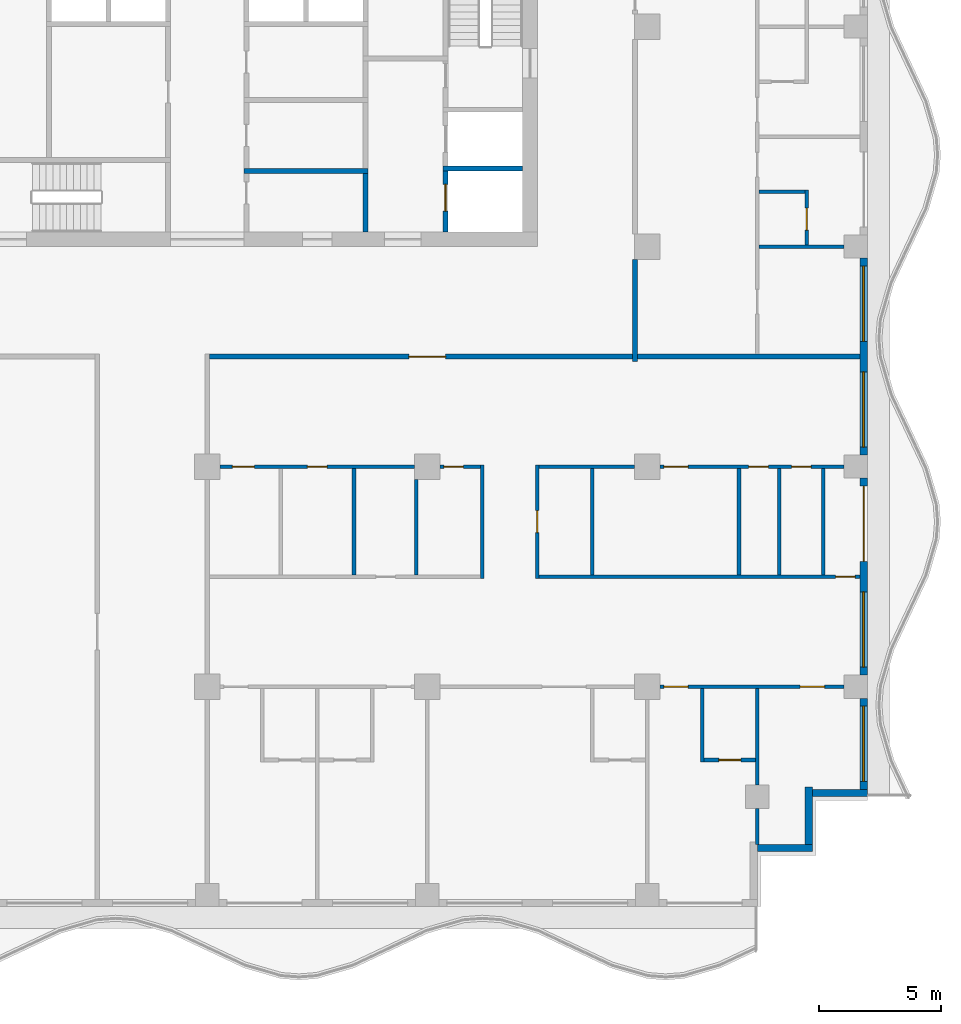
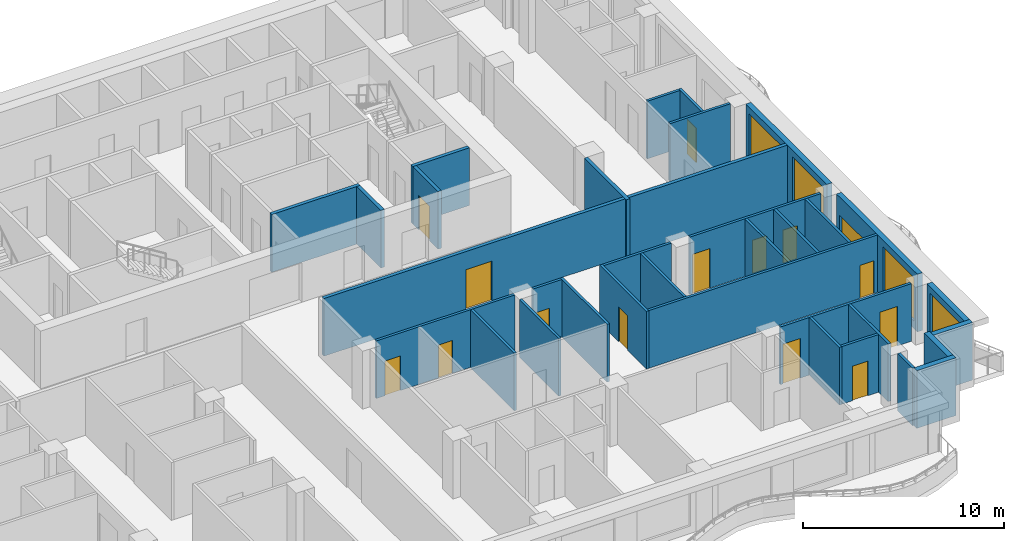
# One storey, part 4 of 11: 34 walls, 15 doors, 4 windows, 19 openings.
"""IFC4 building model written with IfcOpenShell, lengths in metres."""

from ifc_helpers import new_model, si_unit, direction, frame, frame_2d, origin, place, context, subcontext, project, spatial, rectangle, extrude, material, layer, layer_set, type_object, element, fill, save


model = new_model("IFC4")

# Units and contexts
model_context = context("Model", 3, precision=1e-05, world=origin(), true_north=direction((0.0, 1.0)))
body_context = subcontext(model_context, "Body", "Model", "MODEL_VIEW")
ifc_project = project(units=[si_unit("LENGTHUNIT", "METRE"), si_unit("AREAUNIT", "SQUARE_METRE"), si_unit("VOLUMEUNIT", "CUBIC_METRE"), si_unit("PLANEANGLEUNIT", "RADIAN"), si_unit("MASSUNIT", "GRAM", prefix="KILO")], contexts=[model_context])

# Site, building, storey
site_placement = place(None, origin())
site = spatial("IfcSite", under=ifc_project, at=site_placement, CompositionType="ELEMENT")
building_placement = place(site_placement, origin())
building = spatial("IfcBuilding", under=site, at=building_placement, Name="Orbiselva Terraces", CompositionType="ELEMENT")
storey_placement = place(building_placement, frame((0.0, 0.0, 226.2)))
storey = spatial("IfcBuildingStorey", under=building, at=storey_placement, Name="L57", CompositionType="ELEMENT", Elevation=226.2)

# Walls
ifc_material_1 = material(Name="Concrete C60/75", Category="concrete")
ifc_layer_1 = layer(ifc_material_1, 0.2)
ifc_layer_set_1 = layer_set([ifc_layer_1], Name="Concrete C60/75")
wall_type_1 = type_object("IfcWallType", Name="CORE-WALL-SHEAR-200", PredefinedType="SHEAR", material=ifc_layer_set_1)
wall_1_placement = place(storey_placement, frame((1.5, 7.6, 0.0), z_axis=(0.0, 0.0, 1.0), x_axis=(1.0, 0.0, 0.0)))
element("IfcWall", 1, at=wall_1_placement, inside=storey, type_object=wall_type_1, Name="L57 core wall 23", PredefinedType="SHEAR", context=body_context, shape_type="SweptSolid", body=[
    extrude(rectangle(XDim=5.075, YDim=0.2, at=frame_2d((2.5375, 0.0))), origin(), (0.0, 0.0, 1.0), 3.5),
])
wall_2_placement = place(storey_placement, frame((6.475, 5.1, 0.0), z_axis=(0.0, 0.0, 1.0), x_axis=(0.0, 1.0, 0.0)))
element("IfcWall", 2, at=wall_2_placement, inside=storey, type_object=wall_type_1, Name="L57 core wall 33", PredefinedType="SHEAR", context=body_context, shape_type="SweptSolid", body=[
    extrude(rectangle(XDim=2.4, YDim=0.2, at=frame_2d((1.2, 0.0))), origin(), (0.0, 0.0, 1.0), 3.5),
])

# Wall, opening, door
wall_3_placement = place(storey_placement, frame((9.75, 5.1, 0.0), z_axis=(0.0, 0.0, 1.0), x_axis=(0.0, 1.0, 0.0)))
wall_3 = element("IfcWall", 3, at=wall_3_placement, inside=storey, type_object=wall_type_1, Name="L57 core wall 40", PredefinedType="SHEAR", context=body_context, shape_type="SweptSolid", body=[
    extrude(rectangle(XDim=2.5, YDim=0.2, at=frame_2d((1.25, 0.0))), origin(), (0.0, 0.0, 1.0), 3.5),
])
opening_1_placement = place(wall_3_placement, frame((0.85, 0.0, 0.0)))
opening_1 = element("IfcOpeningElement", 4, at=opening_1_placement, cuts=wall_3, Name="Opening LD-FF1", PredefinedType="OPENING", context=body_context, shape_type="SweptSolid", body=[
    extrude(rectangle(XDim=1.1, YDim=2.1, at=frame_2d((0.55, 1.05))), frame((0.0, 0.11, 0.0), z_axis=(0.0, -1.0, 0.0), x_axis=(1.0, 0.0, 0.0)), (0.0, 0.0, 1.0), 0.22),
])
ifc_material_2 = material(Name="Stainless steel landing door", Category="steel")
door_type_1 = type_object("IfcDoorType", Name="LANDING DOOR 1100", OperationType="SLIDING_TO_LEFT", PredefinedType="DOOR", material=ifc_material_2)
door_1_placement = place(opening_1_placement, origin())
door_1 = element("IfcDoor", 5, at=door_1_placement, inside=storey, type_object=door_type_1, Name="L57 landing door FF1", OperationType="SLIDING_TO_RIGHT", OverallHeight=2.1, OverallWidth=1.1, PredefinedType="DOOR", context=body_context, shape_type="SweptSolid", body=[
    extrude(rectangle(XDim=1.1, YDim=2.1, at=frame_2d((0.55, 1.05))), frame((0.0, 0.025, 0.0), z_axis=(0.0, -1.0, 0.0), x_axis=(1.0, 0.0, 0.0)), (0.0, 0.0, 1.0), 0.05),
])
fill(opening_1, door_1)

# Walls
wall_4_placement = place(storey_placement, frame((9.65, 7.7, 0.0), z_axis=(0.0, 0.0, 1.0), x_axis=(1.0, 0.0, 0.0)))
element("IfcWall", 6, at=wall_4_placement, inside=storey, type_object=wall_type_1, Name="L57 core wall 41", PredefinedType="SHEAR", context=body_context, shape_type="SweptSolid", body=[
    extrude(rectangle(XDim=3.25, YDim=0.2, at=frame_2d((1.625, 0.0))), origin(), (0.0, 0.0, 1.0), 3.5),
])
ifc_material_3 = material(Name="Terracotta cladding on masonry backing", Category="masonry")
ifc_layer_2 = layer(ifc_material_3, 0.3)
ifc_layer_set_2 = layer_set([ifc_layer_2], Name="Terracotta cladding on masonry backing")
wall_type_2 = type_object("IfcWallType", Name="ENV-WALL-TERRACOTTA-300", PredefinedType="SOLIDWALL", material=ifc_layer_set_2)
wall_5_placement = place(storey_placement, frame((24.75, -20.1, 0.0), z_axis=(0.0, 0.0, 1.0), x_axis=(-1.0, 0.0, 0.0)))
element("IfcWall", 7, at=wall_5_placement, inside=storey, type_object=wall_type_2, Name="Facade wall L57 STEP", PredefinedType="SOLIDWALL", context=body_context, shape_type="SweptSolid", body=[
    extrude(rectangle(XDim=2.25, YDim=0.3, at=frame_2d((1.125, 0.0))), origin(), (0.0, 0.0, 1.0), 3.5),
])
wall_6_placement = place(storey_placement, frame((24.6, -17.6, 0.0), z_axis=(0.0, 0.0, 1.0), x_axis=(0.0, -1.0, 0.0)))
element("IfcWall", 8, at=wall_6_placement, inside=storey, type_object=wall_type_2, Name="Facade wall L57 STEP", PredefinedType="SOLIDWALL", context=body_context, shape_type="SweptSolid", body=[
    extrude(rectangle(XDim=2.35, YDim=0.3, at=frame_2d((1.175, 0.0))), origin(), (0.0, 0.0, 1.0), 3.5),
])
wall_7_placement = place(storey_placement, frame((27.0, -17.85, 0.0), z_axis=(0.0, 0.0, 1.0), x_axis=(-1.0, 0.0, 0.0)))
element("IfcWall", 9, at=wall_7_placement, inside=storey, type_object=wall_type_2, Name="Facade wall L57 STEP", PredefinedType="SOLIDWALL", context=body_context, shape_type="SweptSolid", body=[
    extrude(rectangle(XDim=2.25, YDim=0.3, at=frame_2d((1.125, 0.0))), origin(), (0.0, 0.0, 1.0), 3.5),
])

# Wall, opening, window
wall_8_placement = place(storey_placement, frame((26.85, -13.975, 0.0), z_axis=(0.0, 0.0, 1.0), x_axis=(0.0, -1.0, 0.0)))
wall_8 = element("IfcWall", 10, at=wall_8_placement, inside=storey, type_object=wall_type_2, Name="Facade wall L57 E", PredefinedType="SOLIDWALL", context=body_context, shape_type="SweptSolid", body=[
    extrude(rectangle(XDim=3.725, YDim=0.3, at=frame_2d((1.8625, 0.0))), origin(), (0.0, 0.0, 1.0), 3.5),
])
opening_2_placement = place(wall_8_placement, frame((0.325, 0.0, 0.45)))
opening_2 = element("IfcOpeningElement", 11, at=opening_2_placement, cuts=wall_8, Name="Opening WN15", PredefinedType="OPENING", context=body_context, shape_type="SweptSolid", body=[
    extrude(rectangle(XDim=3.075, YDim=2.65, at=frame_2d((1.5375, 1.325))), frame((0.0, 0.16, 0.0), z_axis=(0.0, -1.0, 0.0), x_axis=(1.0, 0.0, 0.0)), (0.0, 0.0, 1.0), 0.32),
])
ifc_material_4 = material(Name="Clear low-e glazing in aluminium frame", Category="aluminium")
window_type = type_object("IfcWindowType", Name="WINDOW 3075 X 2650 S450", PartitioningType="TRIPLE_PANEL_VERTICAL", PredefinedType="WINDOW", material=ifc_material_4)
window_1_placement = place(opening_2_placement, origin())
window_1 = element("IfcWindow", 12, at=window_1_placement, inside=storey, type_object=window_type, Name="Window L57 E", OverallHeight=2.65, OverallWidth=3.075, PartitioningType="SINGLE_PANEL", PredefinedType="WINDOW", context=body_context, shape_type="SweptSolid", body=[
    extrude(rectangle(XDim=3.075, YDim=2.65, at=frame_2d((1.5375, 1.325))), frame((0.0, 0.03, 0.0), z_axis=(0.0, -1.0, 0.0), x_axis=(1.0, 0.0, 0.0)), (0.0, 0.0, 1.0), 0.06),
])
fill(opening_2, window_1)

# Wall, openings, door, window
wall_9_placement = place(storey_placement, frame((26.85, -4.975, 0.0), z_axis=(0.0, 0.0, 1.0), x_axis=(0.0, -1.0, 0.0)))
wall_9 = element("IfcWall", 13, at=wall_9_placement, inside=storey, type_object=wall_type_2, Name="Facade wall L57 E", PredefinedType="SOLIDWALL", context=body_context, shape_type="SweptSolid", body=[
    extrude(rectangle(XDim=8.05, YDim=0.3, at=frame_2d((4.025, 0.0))), origin(), (0.0, 0.0, 1.0), 3.5),
])
opening_3_placement = place(wall_9_placement, frame((4.65, 0.0, 0.45)))
opening_3 = element("IfcOpeningElement", 14, at=opening_3_placement, cuts=wall_9, Name="Opening WN15", PredefinedType="OPENING", context=body_context, shape_type="SweptSolid", body=[
    extrude(rectangle(XDim=3.075, YDim=2.65, at=frame_2d((1.5375, 1.325))), frame((0.0, 0.16, 0.0), z_axis=(0.0, -1.0, 0.0), x_axis=(1.0, 0.0, 0.0)), (0.0, 0.0, 1.0), 0.32),
])
opening_4_placement = place(wall_9_placement, frame((0.325, 0.0, 0.0)))
opening_4 = element("IfcOpeningElement", 15, at=opening_4_placement, cuts=wall_9, Name="Opening Z4-E-E04", PredefinedType="OPENING", context=body_context, shape_type="SweptSolid", body=[
    extrude(rectangle(XDim=3.075, YDim=2.4, at=frame_2d((1.5375, 1.2))), frame((0.0, 0.16, 0.0), z_axis=(0.0, -1.0, 0.0), x_axis=(1.0, 0.0, 0.0)), (0.0, 0.0, 1.0), 0.32),
])
door_type_2 = type_object("IfcDoorType", Name="BALCONY DOOR 3075 X 2400", OperationType="DOUBLE_DOOR_SLIDING", PredefinedType="DOOR", material=ifc_material_4)
door_2_placement = place(opening_4_placement, origin())
door_2 = element("IfcDoor", 16, at=door_2_placement, inside=storey, type_object=door_type_2, Name="Z4-E-E04", OperationType="SINGLE_SWING_LEFT", OverallHeight=2.4, OverallWidth=3.075, PredefinedType="DOOR", context=body_context, shape_type="SweptSolid", body=[
    extrude(rectangle(XDim=3.075, YDim=2.4, at=frame_2d((1.5375, 1.2))), frame((0.0, 0.025, 0.0), z_axis=(0.0, -1.0, 0.0), x_axis=(1.0, 0.0, 0.0)), (0.0, 0.0, 1.0), 0.05),
])
fill(opening_4, door_2)
window_2_placement = place(opening_3_placement, origin())
window_2 = element("IfcWindow", 17, at=window_2_placement, inside=storey, type_object=window_type, Name="Window L57 E", OverallHeight=2.65, OverallWidth=3.075, PartitioningType="SINGLE_PANEL", PredefinedType="WINDOW", context=body_context, shape_type="SweptSolid", body=[
    extrude(rectangle(XDim=3.075, YDim=2.65, at=frame_2d((1.5375, 1.325))), frame((0.0, 0.03, 0.0), z_axis=(0.0, -1.0, 0.0), x_axis=(1.0, 0.0, 0.0)), (0.0, 0.0, 1.0), 0.06),
])
fill(opening_3, window_2)

# Wall, openings, windows
wall_10_placement = place(storey_placement, frame((26.85, 4.025, 0.0), z_axis=(0.0, 0.0, 1.0), x_axis=(0.0, -1.0, 0.0)))
wall_10 = element("IfcWall", 18, at=wall_10_placement, inside=storey, type_object=wall_type_2, Name="Facade wall L57 E", PredefinedType="SOLIDWALL", context=body_context, shape_type="SweptSolid", body=[
    extrude(rectangle(XDim=8.05, YDim=0.3, at=frame_2d((4.025, 0.0))), origin(), (0.0, 0.0, 1.0), 3.5),
])
opening_5_placement = place(wall_10_placement, frame((4.65, 0.0, 0.45)))
opening_5 = element("IfcOpeningElement", 19, at=opening_5_placement, cuts=wall_10, Name="Opening WN15", PredefinedType="OPENING", context=body_context, shape_type="SweptSolid", body=[
    extrude(rectangle(XDim=3.075, YDim=2.65, at=frame_2d((1.5375, 1.325))), frame((0.0, 0.16, 0.0), z_axis=(0.0, -1.0, 0.0), x_axis=(1.0, 0.0, 0.0)), (0.0, 0.0, 1.0), 0.32),
])
opening_6_placement = place(wall_10_placement, frame((0.325, 0.0, 0.45)))
opening_6 = element("IfcOpeningElement", 20, at=opening_6_placement, cuts=wall_10, Name="Opening WN15", PredefinedType="OPENING", context=body_context, shape_type="SweptSolid", body=[
    extrude(rectangle(XDim=3.075, YDim=2.65, at=frame_2d((1.5375, 1.325))), frame((0.0, 0.16, 0.0), z_axis=(0.0, -1.0, 0.0), x_axis=(1.0, 0.0, 0.0)), (0.0, 0.0, 1.0), 0.32),
])
window_3_placement = place(opening_5_placement, origin())
window_3 = element("IfcWindow", 21, at=window_3_placement, inside=storey, type_object=window_type, Name="Window L57 E", OverallHeight=2.65, OverallWidth=3.075, PartitioningType="SINGLE_PANEL", PredefinedType="WINDOW", context=body_context, shape_type="SweptSolid", body=[
    extrude(rectangle(XDim=3.075, YDim=2.65, at=frame_2d((1.5375, 1.325))), frame((0.0, 0.03, 0.0), z_axis=(0.0, -1.0, 0.0), x_axis=(1.0, 0.0, 0.0)), (0.0, 0.0, 1.0), 0.06),
])
fill(opening_5, window_3)
window_4_placement = place(opening_6_placement, origin())
window_4 = element("IfcWindow", 22, at=window_4_placement, inside=storey, type_object=window_type, Name="Window L57 E", OverallHeight=2.65, OverallWidth=3.075, PartitioningType="SINGLE_PANEL", PredefinedType="WINDOW", context=body_context, shape_type="SweptSolid", body=[
    extrude(rectangle(XDim=3.075, YDim=2.65, at=frame_2d((1.5375, 1.325))), frame((0.0, 0.03, 0.0), z_axis=(0.0, -1.0, 0.0), x_axis=(1.0, 0.0, 0.0)), (0.0, 0.0, 1.0), 0.06),
])
fill(opening_6, window_4)

# Wall, opening, door
ifc_material_5 = material(Name="Plasterboard on steel stud partition", Category="steel")
ifc_layer_3 = layer(ifc_material_5, 0.2)
ifc_layer_set_3 = layer_set([ifc_layer_3], Name="Plasterboard on steel stud partition")
wall_type_3 = type_object("IfcWallType", Name="UNIT-ENTRANCE-WALL-200", PredefinedType="PARTITIONING", material=ifc_layer_set_3)
wall_11_placement = place(storey_placement, frame((17.4, 0.0, 0.0), z_axis=(0.0, 0.0, 1.0), x_axis=(-1.0, 0.0, 0.0)))
wall_11 = element("IfcWall", 23, at=wall_11_placement, inside=storey, type_object=wall_type_3, Name="PARTITION L57-029", PredefinedType="PARTITIONING", context=body_context, shape_type="SweptSolid", body=[
    extrude(rectangle(XDim=17.3, YDim=0.2, at=frame_2d((8.65, 0.0))), origin(), (0.0, 0.0, 1.0), 3.5),
])
opening_7_placement = place(wall_11_placement, frame((7.65, 0.0, 0.0)))
opening_7 = element("IfcOpeningElement", 24, at=opening_7_placement, cuts=wall_11, Name="Opening Z4-E-33", PredefinedType="OPENING", context=body_context, shape_type="SweptSolid", body=[
    extrude(rectangle(XDim=1.5, YDim=2.4, at=frame_2d((0.75, 1.2))), frame((0.0, 0.11, 0.0), z_axis=(0.0, -1.0, 0.0), x_axis=(1.0, 0.0, 0.0)), (0.0, 0.0, 1.0), 0.22),
])
ifc_material_6 = material(Name="Painted timber door leaf", Category="wood")
door_type_3 = type_object("IfcDoorType", Name="ENTRANCE DOUBLE DOOR 1500", OperationType="NOTDEFINED", PredefinedType="DOOR", material=ifc_material_6)
door_3_placement = place(opening_7_placement, origin())
door_3 = element("IfcDoor", 25, at=door_3_placement, inside=storey, type_object=door_type_3, Name="Z4-E-33", OperationType="DOUBLE_DOOR_SINGLE_SWING", OverallHeight=2.4, OverallWidth=1.5, PredefinedType="DOOR", context=body_context, shape_type="SweptSolid", body=[
    extrude(rectangle(XDim=1.5, YDim=2.4, at=frame_2d((0.75, 1.2))), frame((0.0, 0.025, 0.0), z_axis=(0.0, -1.0, 0.0), x_axis=(1.0, 0.0, 0.0)), (0.0, 0.0, 1.0), 0.05),
])
fill(opening_7, door_3)

# Wall
wall_12_placement = place(storey_placement, frame((17.5, -0.2, 0.0), z_axis=(0.0, 0.0, 1.0), x_axis=(0.0, 1.0, 0.0)))
element("IfcWall", 26, at=wall_12_placement, inside=storey, type_object=wall_type_3, Name="PARTITION L57-081", PredefinedType="PARTITIONING", context=body_context, shape_type="SweptSolid", body=[
    extrude(rectangle(XDim=4.175, YDim=0.2, at=frame_2d((2.0875, 0.0))), origin(), (0.0, 0.0, 1.0), 3.5),
])

# Wall, opening, door
ifc_layer_4 = layer(ifc_material_5, 0.15)
ifc_layer_set_4 = layer_set([ifc_layer_4], Name="Plasterboard on steel stud partition")
wall_type_4 = type_object("IfcWallType", Name="UNIT-PARTITION-150", PredefinedType="PARTITIONING", material=ifc_layer_set_4)
wall_13_placement = place(storey_placement, frame((20.325, -16.5, 0.0), z_axis=(0.0, 0.0, 1.0), x_axis=(1.0, 0.0, 0.0)))
wall_13 = element("IfcWall", 27, at=wall_13_placement, inside=storey, type_object=wall_type_4, Name="PARTITION L57-008", PredefinedType="PARTITIONING", context=body_context, shape_type="SweptSolid", body=[
    extrude(rectangle(XDim=2.1, YDim=0.15, at=frame_2d((1.05, 0.0))), origin(), (0.0, 0.0, 1.0), 3.5),
])
opening_8_placement = place(wall_13_placement, frame((0.6, 0.0, 0.0)))
opening_8 = element("IfcOpeningElement", 28, at=opening_8_placement, cuts=wall_13, Name="Opening Z4-E-45", PredefinedType="OPENING", context=body_context, shape_type="SweptSolid", body=[
    extrude(rectangle(XDim=0.9, YDim=2.1, at=frame_2d((0.45, 1.05))), frame((0.0, 0.085, 0.0), z_axis=(0.0, -1.0, 0.0), x_axis=(1.0, 0.0, 0.0)), (0.0, 0.0, 1.0), 0.17),
])
door_type_4 = type_object("IfcDoorType", Name="BATH DOOR 900", OperationType="NOTDEFINED", PredefinedType="DOOR", material=ifc_material_6)
door_4_placement = place(opening_8_placement, origin())
door_4 = element("IfcDoor", 29, at=door_4_placement, inside=storey, type_object=door_type_4, Name="Z4-E-45", OperationType="SINGLE_SWING_LEFT", OverallHeight=2.1, OverallWidth=0.9, PredefinedType="DOOR", context=body_context, shape_type="SweptSolid", body=[
    extrude(rectangle(XDim=0.9, YDim=2.1, at=frame_2d((0.45, 1.05))), frame((0.0, 0.025, 0.0), z_axis=(0.0, -1.0, 0.0), x_axis=(1.0, 0.0, 0.0)), (0.0, 0.0, 1.0), 0.05),
])
fill(opening_8, door_4)

# Wall, openings, doors
wall_14_placement = place(storey_placement, frame((26.05, -13.5, 0.0), z_axis=(0.0, 0.0, 1.0), x_axis=(-1.0, 0.0, 0.0)))
wall_14 = element("IfcWall", 30, at=wall_14_placement, inside=storey, type_object=wall_type_4, Name="PARTITION L57-012", PredefinedType="PARTITIONING", context=body_context, shape_type="SweptSolid", body=[
    extrude(rectangle(XDim=7.525, YDim=0.15, at=frame_2d((3.7625, 0.0))), origin(), (0.0, 0.0, 1.0), 3.5),
])
opening_9_placement = place(wall_14_placement, frame((0.8, 0.0, 0.0)))
opening_9 = element("IfcOpeningElement", 31, at=opening_9_placement, cuts=wall_14, Name="Opening Z4-E-43", PredefinedType="OPENING", context=body_context, shape_type="SweptSolid", body=[
    extrude(rectangle(XDim=1.0, YDim=2.4, at=frame_2d((0.5, 1.2))), frame((0.0, 0.085, 0.0), z_axis=(0.0, -1.0, 0.0), x_axis=(1.0, 0.0, 0.0)), (0.0, 0.0, 1.0), 0.17),
])
opening_10_placement = place(wall_14_placement, frame((6.375, 0.0, 0.0)))
opening_10 = element("IfcOpeningElement", 32, at=opening_10_placement, cuts=wall_14, Name="Opening Z4-E-44", PredefinedType="OPENING", context=body_context, shape_type="SweptSolid", body=[
    extrude(rectangle(XDim=1.0, YDim=2.4, at=frame_2d((0.5, 1.2))), frame((0.0, 0.085, 0.0), z_axis=(0.0, -1.0, 0.0), x_axis=(1.0, 0.0, 0.0)), (0.0, 0.0, 1.0), 0.17),
])
door_type_5 = type_object("IfcDoorType", Name="ROOM DOOR 1000", OperationType="NOTDEFINED", PredefinedType="DOOR", material=ifc_material_6)
door_5_placement = place(opening_9_placement, origin())
door_5 = element("IfcDoor", 33, at=door_5_placement, inside=storey, type_object=door_type_5, Name="Z4-E-43", OperationType="SINGLE_SWING_LEFT", OverallHeight=2.4, OverallWidth=1.0, PredefinedType="DOOR", context=body_context, shape_type="SweptSolid", body=[
    extrude(rectangle(XDim=1.0, YDim=2.4, at=frame_2d((0.5, 1.2))), frame((0.0, 0.025, 0.0), z_axis=(0.0, -1.0, 0.0), x_axis=(1.0, 0.0, 0.0)), (0.0, 0.0, 1.0), 0.05),
])
fill(opening_9, door_5)
door_6_placement = place(opening_10_placement, origin())
door_6 = element("IfcDoor", 34, at=door_6_placement, inside=storey, type_object=door_type_5, Name="Z4-E-44", OperationType="SINGLE_SWING_RIGHT", OverallHeight=2.4, OverallWidth=1.0, PredefinedType="DOOR", context=body_context, shape_type="SweptSolid", body=[
    extrude(rectangle(XDim=1.0, YDim=2.4, at=frame_2d((0.5, 1.2))), frame((0.0, 0.025, 0.0), z_axis=(0.0, -1.0, 0.0), x_axis=(1.0, 0.0, 0.0)), (0.0, 0.0, 1.0), 0.05),
])
fill(opening_10, door_6)

# Wall, opening, door
wall_15_placement = place(storey_placement, frame((13.575, -9.0, 0.0), z_axis=(0.0, 0.0, 1.0), x_axis=(1.0, 0.0, 0.0)))
wall_15 = element("IfcWall", 35, at=wall_15_placement, inside=storey, type_object=wall_type_4, Name="PARTITION L57-017", PredefinedType="PARTITIONING", context=body_context, shape_type="SweptSolid", body=[
    extrude(rectangle(XDim=13.125, YDim=0.15, at=frame_2d((6.5625, 0.0))), origin(), (0.0, 0.0, 1.0), 3.5),
])
opening_11_placement = place(wall_15_placement, frame((12.125, 0.0, 0.0)))
opening_11 = element("IfcOpeningElement", 36, at=opening_11_placement, cuts=wall_15, Name="Opening Z4-E-34", PredefinedType="OPENING", context=body_context, shape_type="SweptSolid", body=[
    extrude(rectangle(XDim=0.8, YDim=2.0, at=frame_2d((0.4, 1.0))), frame((0.0, 0.085, 0.0), z_axis=(0.0, -1.0, 0.0), x_axis=(1.0, 0.0, 0.0)), (0.0, 0.0, 1.0), 0.17),
])
door_type_6 = type_object("IfcDoorType", Name="STORE DOOR 800", OperationType="NOTDEFINED", PredefinedType="DOOR", material=ifc_material_6)
door_7_placement = place(opening_11_placement, origin())
door_7 = element("IfcDoor", 37, at=door_7_placement, inside=storey, type_object=door_type_6, Name="Z4-E-34", OperationType="SINGLE_SWING_RIGHT", OverallHeight=2.0, OverallWidth=0.8, PredefinedType="DOOR", context=body_context, shape_type="SweptSolid", body=[
    extrude(rectangle(XDim=0.8, YDim=2.0, at=frame_2d((0.4, 1.0))), frame((0.0, 0.025, 0.0), z_axis=(0.0, -1.0, 0.0), x_axis=(1.0, 0.0, 0.0)), (0.0, 0.0, 1.0), 0.05),
])
fill(opening_11, door_7)

# Wall, openings, doors
wall_16_placement = place(storey_placement, frame((8.475, -4.5, 0.0), z_axis=(0.0, 0.0, 1.0), x_axis=(-1.0, 0.0, 0.0)))
wall_16 = element("IfcWall", 38, at=wall_16_placement, inside=storey, type_object=wall_type_4, Name="PARTITION L57-022", PredefinedType="PARTITIONING", context=body_context, shape_type="SweptSolid", body=[
    extrude(rectangle(XDim=7.95, YDim=0.15, at=frame_2d((3.975, 0.0))), origin(), (0.0, 0.0, 1.0), 3.5),
])
opening_12_placement = place(wall_16_placement, frame((3.575, 0.0, 0.0)))
opening_12 = element("IfcOpeningElement", 39, at=opening_12_placement, cuts=wall_16, Name="Opening Z4-E-41", PredefinedType="OPENING", context=body_context, shape_type="SweptSolid", body=[
    extrude(rectangle(XDim=0.8, YDim=2.0, at=frame_2d((0.4, 1.0))), frame((0.0, 0.085, 0.0), z_axis=(0.0, -1.0, 0.0), x_axis=(1.0, 0.0, 0.0)), (0.0, 0.0, 1.0), 0.17),
])
opening_13_placement = place(wall_16_placement, frame((6.55, 0.0, 0.0)))
opening_13 = element("IfcOpeningElement", 40, at=opening_13_placement, cuts=wall_16, Name="Opening Z4-E-42", PredefinedType="OPENING", context=body_context, shape_type="SweptSolid", body=[
    extrude(rectangle(XDim=0.9, YDim=2.1, at=frame_2d((0.45, 1.05))), frame((0.0, 0.085, 0.0), z_axis=(0.0, -1.0, 0.0), x_axis=(1.0, 0.0, 0.0)), (0.0, 0.0, 1.0), 0.17),
])
door_type_7 = type_object("IfcDoorType", Name="SERVICE DOOR 900", OperationType="NOTDEFINED", PredefinedType="DOOR", material=ifc_material_6)
door_8_placement = place(opening_13_placement, origin())
door_8 = element("IfcDoor", 41, at=door_8_placement, inside=storey, type_object=door_type_7, Name="Z4-E-42", OperationType="SINGLE_SWING_RIGHT", OverallHeight=2.1, OverallWidth=0.9, PredefinedType="DOOR", context=body_context, shape_type="SweptSolid", body=[
    extrude(rectangle(XDim=0.9, YDim=2.1, at=frame_2d((0.45, 1.05))), frame((0.0, 0.025, 0.0), z_axis=(0.0, -1.0, 0.0), x_axis=(1.0, 0.0, 0.0)), (0.0, 0.0, 1.0), 0.05),
])
fill(opening_13, door_8)
door_9_placement = place(opening_12_placement, origin())
door_9 = element("IfcDoor", 42, at=door_9_placement, inside=storey, type_object=door_type_6, Name="Z4-E-41", OperationType="SINGLE_SWING_LEFT", OverallHeight=2.0, OverallWidth=0.8, PredefinedType="DOOR", context=body_context, shape_type="SweptSolid", body=[
    extrude(rectangle(XDim=0.8, YDim=2.0, at=frame_2d((0.4, 1.0))), frame((0.0, 0.025, 0.0), z_axis=(0.0, -1.0, 0.0), x_axis=(1.0, 0.0, 0.0)), (0.0, 0.0, 1.0), 0.05),
])
fill(opening_12, door_9)

# Wall, opening, door
wall_17_placement = place(storey_placement, frame((11.175, -4.5, 0.0), z_axis=(0.0, 0.0, 1.0), x_axis=(-1.0, 0.0, 0.0)))
wall_17 = element("IfcWall", 43, at=wall_17_placement, inside=storey, type_object=wall_type_4, Name="PARTITION L57-023", PredefinedType="PARTITIONING", context=body_context, shape_type="SweptSolid", body=[
    extrude(rectangle(XDim=1.65, YDim=0.15, at=frame_2d((0.825, 0.0))), origin(), (0.0, 0.0, 1.0), 3.5),
])
opening_14_placement = place(wall_17_placement, frame((0.7, 0.0, 0.0)))
opening_14 = element("IfcOpeningElement", 44, at=opening_14_placement, cuts=wall_17, Name="Opening Z4-E-39", PredefinedType="OPENING", context=body_context, shape_type="SweptSolid", body=[
    extrude(rectangle(XDim=0.8, YDim=2.0, at=frame_2d((0.4, 1.0))), frame((0.0, 0.085, 0.0), z_axis=(0.0, -1.0, 0.0), x_axis=(1.0, 0.0, 0.0)), (0.0, 0.0, 1.0), 0.17),
])
door_10_placement = place(opening_14_placement, origin())
door_10 = element("IfcDoor", 45, at=door_10_placement, inside=storey, type_object=door_type_6, Name="Z4-E-39", OperationType="SINGLE_SWING_RIGHT", OverallHeight=2.0, OverallWidth=0.8, PredefinedType="DOOR", context=body_context, shape_type="SweptSolid", body=[
    extrude(rectangle(XDim=0.8, YDim=2.0, at=frame_2d((0.4, 1.0))), frame((0.0, 0.025, 0.0), z_axis=(0.0, -1.0, 0.0), x_axis=(1.0, 0.0, 0.0)), (0.0, 0.0, 1.0), 0.05),
])
fill(opening_14, door_10)

# Wall
wall_18_placement = place(storey_placement, frame((13.575, -4.5, 0.0), z_axis=(0.0, 0.0, 1.0), x_axis=(1.0, 0.0, 0.0)))
element("IfcWall", 46, at=wall_18_placement, inside=storey, type_object=wall_type_4, Name="PARTITION L57-024", PredefinedType="PARTITIONING", context=body_context, shape_type="SweptSolid", body=[
    extrude(rectangle(XDim=3.9, YDim=0.15, at=frame_2d((1.95, 0.0))), origin(), (0.0, 0.0, 1.0), 3.5),
])

# Wall, openings, doors
wall_19_placement = place(storey_placement, frame((26.05, -4.5, 0.0), z_axis=(0.0, 0.0, 1.0), x_axis=(-1.0, 0.0, 0.0)))
wall_19 = element("IfcWall", 47, at=wall_19_placement, inside=storey, type_object=wall_type_4, Name="PARTITION L57-025", PredefinedType="PARTITIONING", context=body_context, shape_type="SweptSolid", body=[
    extrude(rectangle(XDim=7.525, YDim=0.15, at=frame_2d((3.7625, 0.0))), origin(), (0.0, 0.0, 1.0), 3.5),
])
opening_15_placement = place(wall_19_placement, frame((1.35, 0.0, 0.0)))
opening_15 = element("IfcOpeningElement", 48, at=opening_15_placement, cuts=wall_19, Name="Opening Z4-E-35", PredefinedType="OPENING", context=body_context, shape_type="SweptSolid", body=[
    extrude(rectangle(XDim=0.8, YDim=2.0, at=frame_2d((0.4, 1.0))), frame((0.0, 0.085, 0.0), z_axis=(0.0, -1.0, 0.0), x_axis=(1.0, 0.0, 0.0)), (0.0, 0.0, 1.0), 0.17),
])
opening_16_placement = place(wall_19_placement, frame((3.1, 0.0, 0.0)))
opening_16 = element("IfcOpeningElement", 49, at=opening_16_placement, cuts=wall_19, Name="Opening Z4-E-36", PredefinedType="OPENING", context=body_context, shape_type="SweptSolid", body=[
    extrude(rectangle(XDim=0.8, YDim=2.0, at=frame_2d((0.4, 1.0))), frame((0.0, 0.085, 0.0), z_axis=(0.0, -1.0, 0.0), x_axis=(1.0, 0.0, 0.0)), (0.0, 0.0, 1.0), 0.17),
])
opening_17_placement = place(wall_19_placement, frame((6.375, 0.0, 0.0)))
opening_17 = element("IfcOpeningElement", 50, at=opening_17_placement, cuts=wall_19, Name="Opening Z4-E-37", PredefinedType="OPENING", context=body_context, shape_type="SweptSolid", body=[
    extrude(rectangle(XDim=1.0, YDim=2.4, at=frame_2d((0.5, 1.2))), frame((0.0, 0.085, 0.0), z_axis=(0.0, -1.0, 0.0), x_axis=(1.0, 0.0, 0.0)), (0.0, 0.0, 1.0), 0.17),
])
door_11_placement = place(opening_17_placement, origin())
door_11 = element("IfcDoor", 51, at=door_11_placement, inside=storey, type_object=door_type_5, Name="Z4-E-37", OperationType="SINGLE_SWING_RIGHT", OverallHeight=2.4, OverallWidth=1.0, PredefinedType="DOOR", context=body_context, shape_type="SweptSolid", body=[
    extrude(rectangle(XDim=1.0, YDim=2.4, at=frame_2d((0.5, 1.2))), frame((0.0, 0.025, 0.0), z_axis=(0.0, -1.0, 0.0), x_axis=(1.0, 0.0, 0.0)), (0.0, 0.0, 1.0), 0.05),
])
fill(opening_17, door_11)
door_12_placement = place(opening_15_placement, origin())
door_12 = element("IfcDoor", 52, at=door_12_placement, inside=storey, type_object=door_type_6, Name="Z4-E-35", OperationType="SINGLE_SWING_LEFT", OverallHeight=2.0, OverallWidth=0.8, PredefinedType="DOOR", context=body_context, shape_type="SweptSolid", body=[
    extrude(rectangle(XDim=0.8, YDim=2.0, at=frame_2d((0.4, 1.0))), frame((0.0, 0.025, 0.0), z_axis=(0.0, -1.0, 0.0), x_axis=(1.0, 0.0, 0.0)), (0.0, 0.0, 1.0), 0.05),
])
fill(opening_15, door_12)
door_13_placement = place(opening_16_placement, origin())
door_13 = element("IfcDoor", 53, at=door_13_placement, inside=storey, type_object=door_type_6, Name="Z4-E-36", OperationType="SINGLE_SWING_LEFT", OverallHeight=2.0, OverallWidth=0.8, PredefinedType="DOOR", context=body_context, shape_type="SweptSolid", body=[
    extrude(rectangle(XDim=0.8, YDim=2.0, at=frame_2d((0.4, 1.0))), frame((0.0, 0.025, 0.0), z_axis=(0.0, -1.0, 0.0), x_axis=(1.0, 0.0, 0.0)), (0.0, 0.0, 1.0), 0.05),
])
fill(opening_16, door_13)

# Walls
wall_20_placement = place(storey_placement, frame((22.575, 4.5, 0.0), z_axis=(0.0, 0.0, 1.0), x_axis=(1.0, 0.0, 0.0)))
element("IfcWall", 54, at=wall_20_placement, inside=storey, type_object=wall_type_4, Name="PARTITION L57-033", PredefinedType="PARTITIONING", context=body_context, shape_type="SweptSolid", body=[
    extrude(rectangle(XDim=3.475, YDim=0.15, at=frame_2d((1.7375, 0.0))), origin(), (0.0, 0.0, 1.0), 3.5),
])
wall_21_placement = place(storey_placement, frame((22.575, 6.75, 0.0), z_axis=(0.0, 0.0, 1.0), x_axis=(1.0, 0.0, 0.0)))
element("IfcWall", 55, at=wall_21_placement, inside=storey, type_object=wall_type_4, Name="PARTITION L57-035", PredefinedType="PARTITIONING", context=body_context, shape_type="SweptSolid", body=[
    extrude(rectangle(XDim=1.875, YDim=0.15, at=frame_2d((0.9375, 0.0))), origin(), (0.0, 0.0, 1.0), 3.5),
])
wall_22_placement = place(storey_placement, frame((6.0, -8.925, 0.0), z_axis=(0.0, 0.0, 1.0), x_axis=(0.0, 1.0, 0.0)))
element("IfcWall", 56, at=wall_22_placement, inside=storey, type_object=wall_type_4, Name="PARTITION L57-073", PredefinedType="PARTITIONING", context=body_context, shape_type="SweptSolid", body=[
    extrude(rectangle(XDim=4.35, YDim=0.15, at=frame_2d((2.175, 0.0))), origin(), (0.0, 0.0, 1.0), 3.5),
])
wall_23_placement = place(storey_placement, frame((8.55, -8.925, 0.0), z_axis=(0.0, 0.0, 1.0), x_axis=(0.0, 1.0, 0.0)))
element("IfcWall", 57, at=wall_23_placement, inside=storey, type_object=wall_type_4, Name="PARTITION L57-075", PredefinedType="PARTITIONING", context=body_context, shape_type="SweptSolid", body=[
    extrude(rectangle(XDim=3.9, YDim=0.15, at=frame_2d((1.95, 0.0))), origin(), (0.0, 0.0, 1.0), 3.5),
])
wall_24_placement = place(storey_placement, frame((11.25, -9.075, 0.0), z_axis=(0.0, 0.0, 1.0), x_axis=(0.0, 1.0, 0.0)))
element("IfcWall", 58, at=wall_24_placement, inside=storey, type_object=wall_type_4, Name="PARTITION L57-077", PredefinedType="PARTITIONING", context=body_context, shape_type="SweptSolid", body=[
    extrude(rectangle(XDim=4.65, YDim=0.15, at=frame_2d((2.325, 0.0))), origin(), (0.0, 0.0, 1.0), 3.5),
])

# Wall, opening, door
wall_25_placement = place(storey_placement, frame((13.5, -4.425, 0.0), z_axis=(0.0, 0.0, 1.0), x_axis=(0.0, -1.0, 0.0)))
wall_25 = element("IfcWall", 59, at=wall_25_placement, inside=storey, type_object=wall_type_4, Name="PARTITION L57-078", PredefinedType="PARTITIONING", context=body_context, shape_type="SweptSolid", body=[
    extrude(rectangle(XDim=4.65, YDim=0.15, at=frame_2d((2.325, 0.0))), origin(), (0.0, 0.0, 1.0), 3.5),
])
opening_18_placement = place(wall_25_placement, frame((1.875, 0.0, 0.0)))
opening_18 = element("IfcOpeningElement", 60, at=opening_18_placement, cuts=wall_25, Name="Opening Z4-E-38", PredefinedType="OPENING", context=body_context, shape_type="SweptSolid", body=[
    extrude(rectangle(XDim=0.9, YDim=2.1, at=frame_2d((0.45, 1.05))), frame((0.0, 0.085, 0.0), z_axis=(0.0, -1.0, 0.0), x_axis=(1.0, 0.0, 0.0)), (0.0, 0.0, 1.0), 0.17),
])
door_14_placement = place(opening_18_placement, origin())
door_14 = element("IfcDoor", 61, at=door_14_placement, inside=storey, type_object=door_type_4, Name="Z4-E-38", OperationType="SINGLE_SWING_RIGHT", OverallHeight=2.1, OverallWidth=0.9, PredefinedType="DOOR", context=body_context, shape_type="SweptSolid", body=[
    extrude(rectangle(XDim=0.9, YDim=2.1, at=frame_2d((0.45, 1.05))), frame((0.0, 0.025, 0.0), z_axis=(0.0, -1.0, 0.0), x_axis=(1.0, 0.0, 0.0)), (0.0, 0.0, 1.0), 0.05),
])
fill(opening_18, door_14)

# Walls
wall_26_placement = place(storey_placement, frame((15.75, -8.925, 0.0), z_axis=(0.0, 0.0, 1.0), x_axis=(0.0, 1.0, 0.0)))
element("IfcWall", 62, at=wall_26_placement, inside=storey, type_object=wall_type_4, Name="PARTITION L57-080", PredefinedType="PARTITIONING", context=body_context, shape_type="SweptSolid", body=[
    extrude(rectangle(XDim=4.35, YDim=0.15, at=frame_2d((2.175, 0.0))), origin(), (0.0, 0.0, 1.0), 3.5),
])
wall_27_placement = place(storey_placement, frame((20.25, -16.575, 0.0), z_axis=(0.0, 0.0, 1.0), x_axis=(0.0, 1.0, 0.0)))
element("IfcWall", 63, at=wall_27_placement, inside=storey, type_object=wall_type_4, Name="PARTITION L57-086", PredefinedType="PARTITIONING", context=body_context, shape_type="SweptSolid", body=[
    extrude(rectangle(XDim=3.0, YDim=0.15, at=frame_2d((1.5, 0.0))), origin(), (0.0, 0.0, 1.0), 3.5),
])
wall_28_placement = place(storey_placement, frame((21.75, -8.925, 0.0), z_axis=(0.0, 0.0, 1.0), x_axis=(0.0, 1.0, 0.0)))
element("IfcWall", 64, at=wall_28_placement, inside=storey, type_object=wall_type_4, Name="PARTITION L57-087", PredefinedType="PARTITIONING", context=body_context, shape_type="SweptSolid", body=[
    extrude(rectangle(XDim=4.35, YDim=0.15, at=frame_2d((2.175, 0.0))), origin(), (0.0, 0.0, 1.0), 3.5),
])
wall_29_placement = place(storey_placement, frame((22.5, -19.95, 0.0), z_axis=(0.0, 0.0, 1.0), x_axis=(0.0, 1.0, 0.0)))
element("IfcWall", 65, at=wall_29_placement, inside=storey, type_object=wall_type_4, Name="PARTITION L57-088", PredefinedType="PARTITIONING", context=body_context, shape_type="SweptSolid", body=[
    extrude(rectangle(XDim=1.475, YDim=0.15, at=frame_2d((0.7375, 0.0))), origin(), (0.0, 0.0, 1.0), 3.5),
])
wall_30_placement = place(storey_placement, frame((22.5, -17.525, 0.0), z_axis=(0.0, 0.0, 1.0), x_axis=(0.0, 1.0, 0.0)))
element("IfcWall", 66, at=wall_30_placement, inside=storey, type_object=wall_type_4, Name="PARTITION L57-089", PredefinedType="PARTITIONING", context=body_context, shape_type="SweptSolid", body=[
    extrude(rectangle(XDim=3.95, YDim=0.15, at=frame_2d((1.975, 0.0))), origin(), (0.0, 0.0, 1.0), 3.5),
])
wall_31_placement = place(storey_placement, frame((23.4, -8.925, 0.0), z_axis=(0.0, 0.0, 1.0), x_axis=(0.0, 1.0, 0.0)))
element("IfcWall", 67, at=wall_31_placement, inside=storey, type_object=wall_type_4, Name="PARTITION L57-092", PredefinedType="PARTITIONING", context=body_context, shape_type="SweptSolid", body=[
    extrude(rectangle(XDim=4.35, YDim=0.15, at=frame_2d((2.175, 0.0))), origin(), (0.0, 0.0, 1.0), 3.5),
])

# Wall, opening, door
wall_32_placement = place(storey_placement, frame((24.525, 4.575, 0.0), z_axis=(0.0, 0.0, 1.0), x_axis=(0.0, 1.0, 0.0)))
wall_32 = element("IfcWall", 68, at=wall_32_placement, inside=storey, type_object=wall_type_4, Name="PARTITION L57-093", PredefinedType="PARTITIONING", context=body_context, shape_type="SweptSolid", body=[
    extrude(rectangle(XDim=2.25, YDim=0.15, at=frame_2d((1.125, 0.0))), origin(), (0.0, 0.0, 1.0), 3.5),
])
opening_19_placement = place(wall_32_placement, frame((0.6, 0.0, 0.0)))
opening_19 = element("IfcOpeningElement", 69, at=opening_19_placement, cuts=wall_32, Name="Opening Z4-E-13", PredefinedType="OPENING", context=body_context, shape_type="SweptSolid", body=[
    extrude(rectangle(XDim=0.9, YDim=2.1, at=frame_2d((0.45, 1.05))), frame((0.0, 0.085, 0.0), z_axis=(0.0, -1.0, 0.0), x_axis=(1.0, 0.0, 0.0)), (0.0, 0.0, 1.0), 0.17),
])
door_15_placement = place(opening_19_placement, origin())
door_15 = element("IfcDoor", 70, at=door_15_placement, inside=storey, type_object=door_type_4, Name="Z4-E-13", OperationType="SINGLE_SWING_LEFT", OverallHeight=2.1, OverallWidth=0.9, PredefinedType="DOOR", context=body_context, shape_type="SweptSolid", body=[
    extrude(rectangle(XDim=0.9, YDim=2.1, at=frame_2d((0.45, 1.05))), frame((0.0, 0.025, 0.0), z_axis=(0.0, -1.0, 0.0), x_axis=(1.0, 0.0, 0.0)), (0.0, 0.0, 1.0), 0.05),
])
fill(opening_19, door_15)

# Walls
wall_33_placement = place(storey_placement, frame((25.2, -8.925, 0.0), z_axis=(0.0, 0.0, 1.0), x_axis=(0.0, 1.0, 0.0)))
element("IfcWall", 71, at=wall_33_placement, inside=storey, type_object=wall_type_4, Name="PARTITION L57-095", PredefinedType="PARTITIONING", context=body_context, shape_type="SweptSolid", body=[
    extrude(rectangle(XDim=4.35, YDim=0.15, at=frame_2d((2.175, 0.0))), origin(), (0.0, 0.0, 1.0), 3.5),
])
ifc_layer_5 = layer(ifc_material_5, 0.2)
ifc_layer_set_5 = layer_set([ifc_layer_5], Name="Plasterboard on steel stud partition")
wall_type_5 = type_object("IfcWallType", Name="UNIT-PARTY-WALL-200", PredefinedType="PARTITIONING", material=ifc_layer_set_5)
wall_34_placement = place(storey_placement, frame((17.6, 0.0, 0.0), z_axis=(0.0, 0.0, 1.0), x_axis=(1.0, 0.0, 0.0)))
element("IfcWall", 72, at=wall_34_placement, inside=storey, type_object=wall_type_5, Name="PARTITION L57-031", PredefinedType="PARTITIONING", context=body_context, shape_type="SweptSolid", body=[
    extrude(rectangle(XDim=9.1, YDim=0.2, at=frame_2d((4.55, 0.0))), origin(), (0.0, 0.0, 1.0), 3.5),
])

save(model, "model.ifc")
